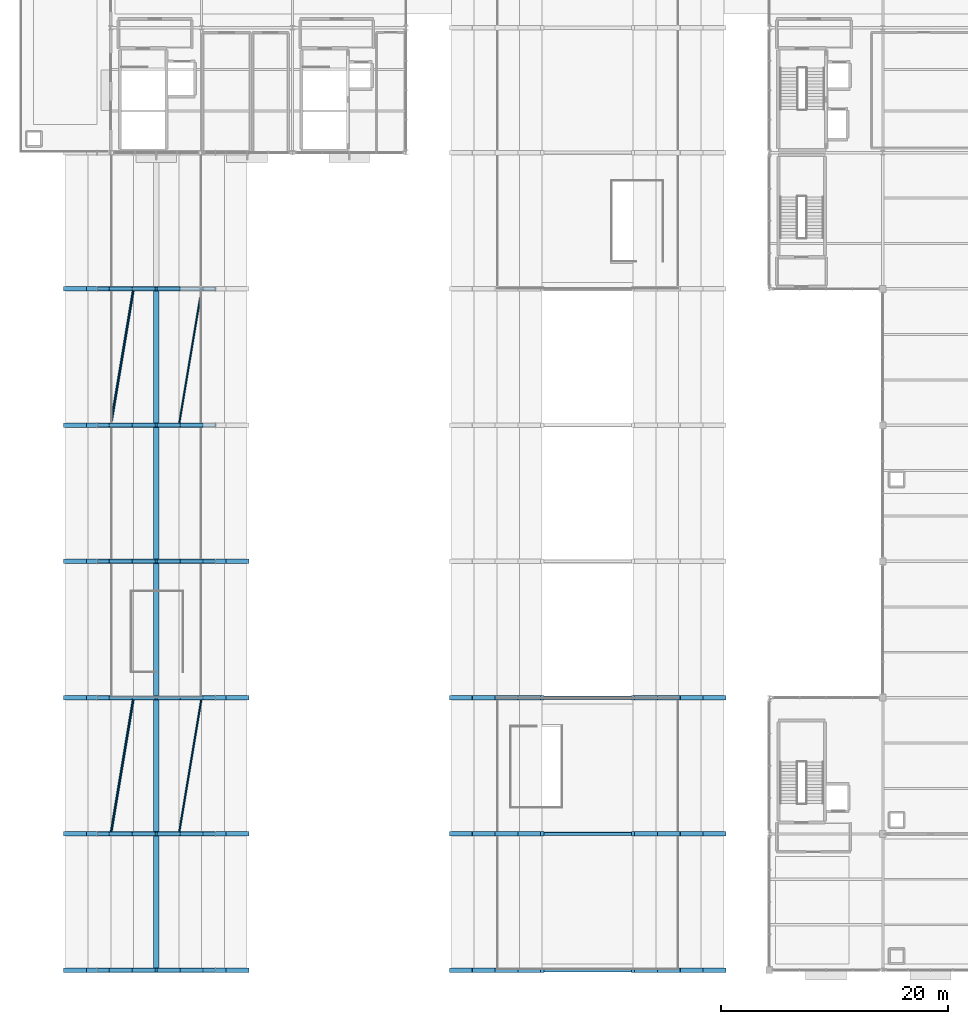
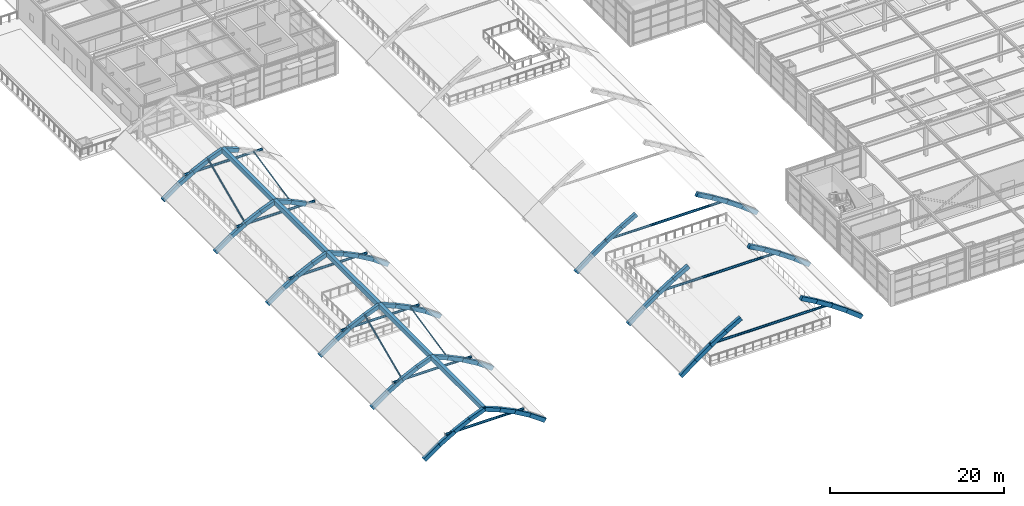
# One storey, part 16 of 82: 72 beams, 13 members.
"""IFC4 building model written with IfcOpenShell, lengths in metres."""

from ifc_helpers import new_model, si_unit, direction, frame, origin, origin_2d, place, context, subcontext, project, spatial, rectangle, hollow_circle, extrude, material, material_profile, profile_set, type_object, element, save


model = new_model("IFC4")

# Units and contexts
model_context = context("Model", 3, precision=1e-05, world=origin(), true_north=direction((0.0, 1.0)))
body_context = subcontext(model_context, "Body", "Model", "MODEL_VIEW")
ifc_project = project(units=[si_unit("LENGTHUNIT", "METRE"), si_unit("AREAUNIT", "SQUARE_METRE"), si_unit("VOLUMEUNIT", "CUBIC_METRE"), si_unit("PLANEANGLEUNIT", "RADIAN"), si_unit("MASSUNIT", "GRAM", prefix="KILO")], contexts=[model_context])

# Site, building, storey
site_placement = place(None, origin())
site = spatial("IfcSite", under=ifc_project, at=site_placement, CompositionType="ELEMENT")
building_placement = place(site_placement, origin())
building = spatial("IfcBuilding", under=site, at=building_placement, Name="Sitalva Quay Ferry Terminal", CompositionType="ELEMENT")
storey_placement = place(building_placement, frame((0.0, 0.0, 5.39990234375)))
storey = spatial("IfcBuildingStorey", under=building, at=storey_placement, Name="L02", CompositionType="ELEMENT", Elevation=5.39990234375)

# Beams
ifc_material_1 = material(Name="Concrete C40/50", Category="concrete")
ifc_material_profile_1 = material_profile(ifc_material_1, rectangle(XDim=0.39990234375, YDim=0.550048828125, at=origin_2d()), Name="RC400x550")
ifc_profile_set_1 = profile_set([ifc_material_profile_1], Name="Concrete C40/50")
beam_type_1 = type_object("IfcBeamType", Name="Beam_Arch_RC400x550", PredefinedType="BEAM", material=ifc_profile_set_1)
beam_1_placement = place(storey_placement, frame((46.0, 6.0, -0.172119140625), z_axis=(0.791620661202, 0.0, 0.611012871189), x_axis=(0.0, 1.0, 0.0)))
element("IfcBeam", 1, at=beam_1_placement, inside=storey, type_object=beam_type_1, Name="Vault V1 transverse arch rib 1.3", PredefinedType="BEAM", context=body_context, shape_type="SweptSolid", body=[
    extrude(rectangle(XDim=0.39990234375, YDim=0.550048828125, at=origin_2d()), origin(), (0.0, 0.0, 1.0), 2.5263671875),
])
beam_2_placement = place(storey_placement, frame((48.0, 6.0, 1.378662109375), z_axis=(0.81986146461, 0.0, 0.572561943241), x_axis=(0.0, 1.0, 0.0)))
element("IfcBeam", 2, at=beam_2_placement, inside=storey, type_object=beam_type_1, Name="Vault V1 transverse arch rib 1.4", PredefinedType="BEAM", context=body_context, shape_type="SweptSolid", body=[
    extrude(rectangle(XDim=0.39990234375, YDim=0.550048828125, at=origin_2d()), origin(), (0.0, 0.0, 1.0), 2.439453125),
])
beam_3_placement = place(storey_placement, frame((50.0, 6.0, 2.78125), z_axis=(0.845437399876, 0.0, 0.534074529341), x_axis=(0.0, 1.0, 0.0)))
element("IfcBeam", 3, at=beam_3_placement, inside=storey, type_object=beam_type_1, Name="Vault V1 transverse arch rib 1.5", PredefinedType="BEAM", context=body_context, shape_type="SweptSolid", body=[
    extrude(rectangle(XDim=0.39990234375, YDim=0.550048828125, at=origin_2d()), origin(), (0.0, 0.0, 1.0), 2.36572265625),
])
for number, where, z_axis, x_axis, name in (
    (4, (52.0, 6.0, 4.0498046875), (0.868569189846, 0.0, 0.495567919109), (0.0, 1.0, 0.0), "Vault V1 transverse arch rib 1.6"),
    (5, (62.0, 6.0, 5.19091796875), (0.868569189846, 0.0, -0.495567919109), (0.0, 1.0, 0.0), "Vault V1 transverse arch rib 1.11"),
):
    element("IfcBeam", number, at=place(storey_placement, frame(where, z_axis=z_axis, x_axis=x_axis)), inside=storey, type_object=beam_type_1, Name=name, PredefinedType="BEAM", context=body_context, shape_type="SweptSolid", body=[
        extrude(rectangle(XDim=0.39990234375, YDim=0.550048828125, at=origin_2d()), origin(), (0.0, 0.0, 1.0), 2.302734375),
    ])
beam_4_placement = place(storey_placement, frame((64.0, 6.0, 4.044677734375), z_axis=(0.845437399876, 0.0, -0.534074529341), x_axis=(0.0, 1.0, 0.0)))
element("IfcBeam", 6, at=beam_4_placement, inside=storey, type_object=beam_type_1, Name="Vault V1 transverse arch rib 1.12", PredefinedType="BEAM", context=body_context, shape_type="SweptSolid", body=[
    extrude(rectangle(XDim=0.39990234375, YDim=0.550048828125, at=origin_2d()), origin(), (0.0, 0.0, 1.0), 2.36572265625),
])
beam_5_placement = place(storey_placement, frame((66.0, 6.0, 2.775390625), z_axis=(0.81986146461, 0.0, -0.572561943241), x_axis=(0.0, 1.0, 0.0)))
element("IfcBeam", 7, at=beam_5_placement, inside=storey, type_object=beam_type_1, Name="Vault V1 transverse arch rib 1.13", PredefinedType="BEAM", context=body_context, shape_type="SweptSolid", body=[
    extrude(rectangle(XDim=0.39990234375, YDim=0.550048828125, at=origin_2d()), origin(), (0.0, 0.0, 1.0), 2.439453125),
])
for number, where, z_axis, x_axis, name in (
    (8, (68.0, 6.0, 1.37158203125), (0.791620661202, 0.0, -0.611012871189), (0.0, 1.0, 0.0), "Vault V1 transverse arch rib 1.14"),
    (9, (46.0, 18.0, -0.172119140625), (0.791620661202, 0.0, 0.611012871189), (0.0, 1.0, 0.0), "Vault V1 transverse arch rib 2.3"),
):
    element("IfcBeam", number, at=place(storey_placement, frame(where, z_axis=z_axis, x_axis=x_axis)), inside=storey, type_object=beam_type_1, Name=name, PredefinedType="BEAM", context=body_context, shape_type="SweptSolid", body=[
        extrude(rectangle(XDim=0.39990234375, YDim=0.550048828125, at=origin_2d()), origin(), (0.0, 0.0, 1.0), 2.5263671875),
    ])
beam_6_placement = place(storey_placement, frame((48.0, 18.0, 1.378662109375), z_axis=(0.81986146461, 0.0, 0.572561943241), x_axis=(0.0, 1.0, 0.0)))
element("IfcBeam", 10, at=beam_6_placement, inside=storey, type_object=beam_type_1, Name="Vault V1 transverse arch rib 2.4", PredefinedType="BEAM", context=body_context, shape_type="SweptSolid", body=[
    extrude(rectangle(XDim=0.39990234375, YDim=0.550048828125, at=origin_2d()), origin(), (0.0, 0.0, 1.0), 2.439453125),
])
beam_7_placement = place(storey_placement, frame((50.0, 18.0, 2.78125), z_axis=(0.845437399876, 0.0, 0.534074529341), x_axis=(0.0, 1.0, 0.0)))
element("IfcBeam", 11, at=beam_7_placement, inside=storey, type_object=beam_type_1, Name="Vault V1 transverse arch rib 2.5", PredefinedType="BEAM", context=body_context, shape_type="SweptSolid", body=[
    extrude(rectangle(XDim=0.39990234375, YDim=0.550048828125, at=origin_2d()), origin(), (0.0, 0.0, 1.0), 2.36572265625),
])
for number, where, z_axis, x_axis, name in (
    (12, (52.0, 18.0, 4.0498046875), (0.868569189846, 0.0, 0.495567919109), (0.0, 1.0, 0.0), "Vault V1 transverse arch rib 2.6"),
    (13, (62.0, 18.0, 5.19091796875), (0.868569189846, 0.0, -0.495567919109), (0.0, 1.0, 0.0), "Vault V1 transverse arch rib 2.11"),
):
    element("IfcBeam", number, at=place(storey_placement, frame(where, z_axis=z_axis, x_axis=x_axis)), inside=storey, type_object=beam_type_1, Name=name, PredefinedType="BEAM", context=body_context, shape_type="SweptSolid", body=[
        extrude(rectangle(XDim=0.39990234375, YDim=0.550048828125, at=origin_2d()), origin(), (0.0, 0.0, 1.0), 2.302734375),
    ])
beam_8_placement = place(storey_placement, frame((64.0, 18.0, 4.044677734375), z_axis=(0.845437399876, 0.0, -0.534074529341), x_axis=(0.0, 1.0, 0.0)))
element("IfcBeam", 14, at=beam_8_placement, inside=storey, type_object=beam_type_1, Name="Vault V1 transverse arch rib 2.12", PredefinedType="BEAM", context=body_context, shape_type="SweptSolid", body=[
    extrude(rectangle(XDim=0.39990234375, YDim=0.550048828125, at=origin_2d()), origin(), (0.0, 0.0, 1.0), 2.36572265625),
])
beam_9_placement = place(storey_placement, frame((66.0, 18.0, 2.775390625), z_axis=(0.81986146461, 0.0, -0.572561943241), x_axis=(0.0, 1.0, 0.0)))
element("IfcBeam", 15, at=beam_9_placement, inside=storey, type_object=beam_type_1, Name="Vault V1 transverse arch rib 2.13", PredefinedType="BEAM", context=body_context, shape_type="SweptSolid", body=[
    extrude(rectangle(XDim=0.39990234375, YDim=0.550048828125, at=origin_2d()), origin(), (0.0, 0.0, 1.0), 2.439453125),
])
for number, where, z_axis, x_axis, name in (
    (16, (68.0, 18.0, 1.37158203125), (0.791620661202, 0.0, -0.611012871189), (0.0, 1.0, 0.0), "Vault V1 transverse arch rib 2.14"),
    (17, (46.0, 30.0, -0.172119140625), (0.791620661202, 0.0, 0.611012871189), (0.0, 1.0, 0.0), "Vault V1 transverse arch rib 3.3"),
):
    element("IfcBeam", number, at=place(storey_placement, frame(where, z_axis=z_axis, x_axis=x_axis)), inside=storey, type_object=beam_type_1, Name=name, PredefinedType="BEAM", context=body_context, shape_type="SweptSolid", body=[
        extrude(rectangle(XDim=0.39990234375, YDim=0.550048828125, at=origin_2d()), origin(), (0.0, 0.0, 1.0), 2.5263671875),
    ])
beam_10_placement = place(storey_placement, frame((48.0, 30.0, 1.378662109375), z_axis=(0.81986146461, 0.0, 0.572561943241), x_axis=(0.0, 1.0, 0.0)))
element("IfcBeam", 18, at=beam_10_placement, inside=storey, type_object=beam_type_1, Name="Vault V1 transverse arch rib 3.4", PredefinedType="BEAM", context=body_context, shape_type="SweptSolid", body=[
    extrude(rectangle(XDim=0.39990234375, YDim=0.550048828125, at=origin_2d()), origin(), (0.0, 0.0, 1.0), 2.439453125),
])
beam_11_placement = place(storey_placement, frame((50.0, 30.0, 2.78125), z_axis=(0.845437399876, 0.0, 0.534074529341), x_axis=(0.0, 1.0, 0.0)))
element("IfcBeam", 19, at=beam_11_placement, inside=storey, type_object=beam_type_1, Name="Vault V1 transverse arch rib 3.5", PredefinedType="BEAM", context=body_context, shape_type="SweptSolid", body=[
    extrude(rectangle(XDim=0.39990234375, YDim=0.550048828125, at=origin_2d()), origin(), (0.0, 0.0, 1.0), 2.36572265625),
])
for number, where, z_axis, x_axis, name in (
    (20, (52.0, 30.0, 4.0498046875), (0.868569189846, 0.0, 0.495567919109), (0.0, 1.0, 0.0), "Vault V1 transverse arch rib 3.6"),
    (21, (62.0, 30.0, 5.19091796875), (0.868569189846, 0.0, -0.495567919109), (0.0, 1.0, 0.0), "Vault V1 transverse arch rib 3.11"),
):
    element("IfcBeam", number, at=place(storey_placement, frame(where, z_axis=z_axis, x_axis=x_axis)), inside=storey, type_object=beam_type_1, Name=name, PredefinedType="BEAM", context=body_context, shape_type="SweptSolid", body=[
        extrude(rectangle(XDim=0.39990234375, YDim=0.550048828125, at=origin_2d()), origin(), (0.0, 0.0, 1.0), 2.302734375),
    ])
beam_12_placement = place(storey_placement, frame((64.0, 30.0, 4.044677734375), z_axis=(0.845437399876, 0.0, -0.534074529341), x_axis=(0.0, 1.0, 0.0)))
element("IfcBeam", 22, at=beam_12_placement, inside=storey, type_object=beam_type_1, Name="Vault V1 transverse arch rib 3.12", PredefinedType="BEAM", context=body_context, shape_type="SweptSolid", body=[
    extrude(rectangle(XDim=0.39990234375, YDim=0.550048828125, at=origin_2d()), origin(), (0.0, 0.0, 1.0), 2.36572265625),
])
beam_13_placement = place(storey_placement, frame((66.0, 30.0, 2.775390625), z_axis=(0.81986146461, 0.0, -0.572561943241), x_axis=(0.0, 1.0, 0.0)))
element("IfcBeam", 23, at=beam_13_placement, inside=storey, type_object=beam_type_1, Name="Vault V1 transverse arch rib 3.13", PredefinedType="BEAM", context=body_context, shape_type="SweptSolid", body=[
    extrude(rectangle(XDim=0.39990234375, YDim=0.550048828125, at=origin_2d()), origin(), (0.0, 0.0, 1.0), 2.439453125),
])
beam_14_placement = place(storey_placement, frame((68.0, 30.0, 1.37158203125), z_axis=(0.791620661202, 0.0, -0.611012871189), x_axis=(0.0, 1.0, 0.0)))
element("IfcBeam", 24, at=beam_14_placement, inside=storey, type_object=beam_type_1, Name="Vault V1 transverse arch rib 3.14", PredefinedType="BEAM", context=body_context, shape_type="SweptSolid", body=[
    extrude(rectangle(XDim=0.39990234375, YDim=0.550048828125, at=origin_2d()), origin(), (0.0, 0.0, 1.0), 2.5263671875),
])
beam_15_placement = place(storey_placement, frame((12.0, 6.0, 0.007080078125), z_axis=(0.816948516584, 0.0, 0.57671060442), x_axis=(0.0, 1.0, 0.0)))
element("IfcBeam", 25, at=beam_15_placement, inside=storey, type_object=beam_type_1, Name="Vault V2 transverse arch rib 1.3", PredefinedType="BEAM", context=body_context, shape_type="SweptSolid", body=[
    extrude(rectangle(XDim=0.39990234375, YDim=0.550048828125, at=origin_2d()), origin(), (0.0, 0.0, 1.0), 2.4482421875),
])
beam_16_placement = place(storey_placement, frame((14.0, 6.0, 1.429443359375), z_axis=(0.863029032245, 0.0, 0.505154322463), x_axis=(0.0, 1.0, 0.0)))
element("IfcBeam", 26, at=beam_16_placement, inside=storey, type_object=beam_type_1, Name="Vault V2 transverse arch rib 1.4", PredefinedType="BEAM", context=body_context, shape_type="SweptSolid", body=[
    extrude(rectangle(XDim=0.39990234375, YDim=0.550048828125, at=origin_2d()), origin(), (0.0, 0.0, 1.0), 2.3173828125),
])
beam_17_placement = place(storey_placement, frame((16.0, 6.0, 2.60791015625), z_axis=(0.901057393418, 0.0, 0.433699865997), x_axis=(0.0, 1.0, 0.0)))
element("IfcBeam", 27, at=beam_17_placement, inside=storey, type_object=beam_type_1, Name="Vault V2 transverse arch rib 1.5", PredefinedType="BEAM", context=body_context, shape_type="SweptSolid", body=[
    extrude(rectangle(XDim=0.39990234375, YDim=0.550048828125, at=origin_2d()), origin(), (0.0, 0.0, 1.0), 2.2197265625),
])
for number, where, z_axis, x_axis, name in (
    (28, (18.0, 6.0, 3.576416015625), (0.932111398116, 0.0, 0.362171701685), (0.0, 1.0, 0.0), "Vault V2 transverse arch rib 1.6"),
    (29, (20.0, 6.0, 4.353515625), (0.932111398116, 0.0, -0.362171701685), (0.0, 1.0, 0.0), "Vault V2 transverse arch rib 1.7"),
):
    element("IfcBeam", number, at=place(storey_placement, frame(where, z_axis=z_axis, x_axis=x_axis)), inside=storey, type_object=beam_type_1, Name=name, PredefinedType="BEAM", context=body_context, shape_type="SweptSolid", body=[
        extrude(rectangle(XDim=0.39990234375, YDim=0.550048828125, at=origin_2d()), origin(), (0.0, 0.0, 1.0), 2.145751953125),
    ])
beam_18_placement = place(storey_placement, frame((22.0, 6.0, 3.570556640625), z_axis=(0.901057393418, 0.0, -0.433699865997), x_axis=(0.0, 1.0, 0.0)))
element("IfcBeam", 30, at=beam_18_placement, inside=storey, type_object=beam_type_1, Name="Vault V2 transverse arch rib 1.8", PredefinedType="BEAM", context=body_context, shape_type="SweptSolid", body=[
    extrude(rectangle(XDim=0.39990234375, YDim=0.550048828125, at=origin_2d()), origin(), (0.0, 0.0, 1.0), 2.2197265625),
])
beam_19_placement = place(storey_placement, frame((24.0, 6.0, 2.60009765625), z_axis=(0.863029032245, 0.0, -0.505154322463), x_axis=(0.0, 1.0, 0.0)))
element("IfcBeam", 31, at=beam_19_placement, inside=storey, type_object=beam_type_1, Name="Vault V2 transverse arch rib 1.9", PredefinedType="BEAM", context=body_context, shape_type="SweptSolid", body=[
    extrude(rectangle(XDim=0.39990234375, YDim=0.550048828125, at=origin_2d()), origin(), (0.0, 0.0, 1.0), 2.3173828125),
])
for number, where, z_axis, x_axis, name in (
    (32, (26.0, 6.0, 1.4189453125), (0.816948516584, 0.0, -0.57671060442), (0.0, 1.0, 0.0), "Vault V2 transverse arch rib 1.10"),
    (33, (12.0, 18.0, 0.007080078125), (0.816948516584, 0.0, 0.57671060442), (0.0, 1.0, 0.0), "Vault V2 transverse arch rib 2.3"),
):
    element("IfcBeam", number, at=place(storey_placement, frame(where, z_axis=z_axis, x_axis=x_axis)), inside=storey, type_object=beam_type_1, Name=name, PredefinedType="BEAM", context=body_context, shape_type="SweptSolid", body=[
        extrude(rectangle(XDim=0.39990234375, YDim=0.550048828125, at=origin_2d()), origin(), (0.0, 0.0, 1.0), 2.4482421875),
    ])
beam_20_placement = place(storey_placement, frame((14.0, 18.0, 1.429443359375), z_axis=(0.863029032245, 0.0, 0.505154322463), x_axis=(0.0, 1.0, 0.0)))
element("IfcBeam", 34, at=beam_20_placement, inside=storey, type_object=beam_type_1, Name="Vault V2 transverse arch rib 2.4", PredefinedType="BEAM", context=body_context, shape_type="SweptSolid", body=[
    extrude(rectangle(XDim=0.39990234375, YDim=0.550048828125, at=origin_2d()), origin(), (0.0, 0.0, 1.0), 2.3173828125),
])
beam_21_placement = place(storey_placement, frame((16.0, 18.0, 2.60791015625), z_axis=(0.901057393418, 0.0, 0.433699865997), x_axis=(0.0, 1.0, 0.0)))
element("IfcBeam", 35, at=beam_21_placement, inside=storey, type_object=beam_type_1, Name="Vault V2 transverse arch rib 2.5", PredefinedType="BEAM", context=body_context, shape_type="SweptSolid", body=[
    extrude(rectangle(XDim=0.39990234375, YDim=0.550048828125, at=origin_2d()), origin(), (0.0, 0.0, 1.0), 2.2197265625),
])
for number, where, z_axis, x_axis, name in (
    (36, (18.0, 18.0, 3.576416015625), (0.932111398116, 0.0, 0.362171701685), (0.0, 1.0, 0.0), "Vault V2 transverse arch rib 2.6"),
    (37, (20.0, 18.0, 4.353515625), (0.932111398116, 0.0, -0.362171701685), (0.0, 1.0, 0.0), "Vault V2 transverse arch rib 2.7"),
):
    element("IfcBeam", number, at=place(storey_placement, frame(where, z_axis=z_axis, x_axis=x_axis)), inside=storey, type_object=beam_type_1, Name=name, PredefinedType="BEAM", context=body_context, shape_type="SweptSolid", body=[
        extrude(rectangle(XDim=0.39990234375, YDim=0.550048828125, at=origin_2d()), origin(), (0.0, 0.0, 1.0), 2.145751953125),
    ])
beam_22_placement = place(storey_placement, frame((22.0, 18.0, 3.570556640625), z_axis=(0.901057393418, 0.0, -0.433699865997), x_axis=(0.0, 1.0, 0.0)))
element("IfcBeam", 38, at=beam_22_placement, inside=storey, type_object=beam_type_1, Name="Vault V2 transverse arch rib 2.8", PredefinedType="BEAM", context=body_context, shape_type="SweptSolid", body=[
    extrude(rectangle(XDim=0.39990234375, YDim=0.550048828125, at=origin_2d()), origin(), (0.0, 0.0, 1.0), 2.2197265625),
])
beam_23_placement = place(storey_placement, frame((24.0, 18.0, 2.60009765625), z_axis=(0.863029032245, 0.0, -0.505154322463), x_axis=(0.0, 1.0, 0.0)))
element("IfcBeam", 39, at=beam_23_placement, inside=storey, type_object=beam_type_1, Name="Vault V2 transverse arch rib 2.9", PredefinedType="BEAM", context=body_context, shape_type="SweptSolid", body=[
    extrude(rectangle(XDim=0.39990234375, YDim=0.550048828125, at=origin_2d()), origin(), (0.0, 0.0, 1.0), 2.3173828125),
])
for number, where, z_axis, x_axis, name in (
    (40, (26.0, 18.0, 1.4189453125), (0.816948516584, 0.0, -0.57671060442), (0.0, 1.0, 0.0), "Vault V2 transverse arch rib 2.10"),
    (41, (12.0, 30.0, 0.007080078125), (0.816948516584, 0.0, 0.57671060442), (0.0, 1.0, 0.0), "Vault V2 transverse arch rib 3.3"),
):
    element("IfcBeam", number, at=place(storey_placement, frame(where, z_axis=z_axis, x_axis=x_axis)), inside=storey, type_object=beam_type_1, Name=name, PredefinedType="BEAM", context=body_context, shape_type="SweptSolid", body=[
        extrude(rectangle(XDim=0.39990234375, YDim=0.550048828125, at=origin_2d()), origin(), (0.0, 0.0, 1.0), 2.4482421875),
    ])
beam_24_placement = place(storey_placement, frame((14.0, 30.0, 1.429443359375), z_axis=(0.863029032245, 0.0, 0.505154322463), x_axis=(0.0, 1.0, 0.0)))
element("IfcBeam", 42, at=beam_24_placement, inside=storey, type_object=beam_type_1, Name="Vault V2 transverse arch rib 3.4", PredefinedType="BEAM", context=body_context, shape_type="SweptSolid", body=[
    extrude(rectangle(XDim=0.39990234375, YDim=0.550048828125, at=origin_2d()), origin(), (0.0, 0.0, 1.0), 2.3173828125),
])
beam_25_placement = place(storey_placement, frame((16.0, 30.0, 2.60791015625), z_axis=(0.901057393418, 0.0, 0.433699865997), x_axis=(0.0, 1.0, 0.0)))
element("IfcBeam", 43, at=beam_25_placement, inside=storey, type_object=beam_type_1, Name="Vault V2 transverse arch rib 3.5", PredefinedType="BEAM", context=body_context, shape_type="SweptSolid", body=[
    extrude(rectangle(XDim=0.39990234375, YDim=0.550048828125, at=origin_2d()), origin(), (0.0, 0.0, 1.0), 2.2197265625),
])
for number, where, z_axis, x_axis, name in (
    (44, (18.0, 30.0, 3.576416015625), (0.932111398116, 0.0, 0.362171701685), (0.0, 1.0, 0.0), "Vault V2 transverse arch rib 3.6"),
    (45, (20.0, 30.0, 4.353515625), (0.932111398116, 0.0, -0.362171701685), (0.0, 1.0, 0.0), "Vault V2 transverse arch rib 3.7"),
):
    element("IfcBeam", number, at=place(storey_placement, frame(where, z_axis=z_axis, x_axis=x_axis)), inside=storey, type_object=beam_type_1, Name=name, PredefinedType="BEAM", context=body_context, shape_type="SweptSolid", body=[
        extrude(rectangle(XDim=0.39990234375, YDim=0.550048828125, at=origin_2d()), origin(), (0.0, 0.0, 1.0), 2.145751953125),
    ])
beam_26_placement = place(storey_placement, frame((22.0, 30.0, 3.570556640625), z_axis=(0.901057393418, 0.0, -0.433699865997), x_axis=(0.0, 1.0, 0.0)))
element("IfcBeam", 46, at=beam_26_placement, inside=storey, type_object=beam_type_1, Name="Vault V2 transverse arch rib 3.8", PredefinedType="BEAM", context=body_context, shape_type="SweptSolid", body=[
    extrude(rectangle(XDim=0.39990234375, YDim=0.550048828125, at=origin_2d()), origin(), (0.0, 0.0, 1.0), 2.2197265625),
])
beam_27_placement = place(storey_placement, frame((24.0, 30.0, 2.60009765625), z_axis=(0.863029032245, 0.0, -0.505154322463), x_axis=(0.0, 1.0, 0.0)))
element("IfcBeam", 47, at=beam_27_placement, inside=storey, type_object=beam_type_1, Name="Vault V2 transverse arch rib 3.9", PredefinedType="BEAM", context=body_context, shape_type="SweptSolid", body=[
    extrude(rectangle(XDim=0.39990234375, YDim=0.550048828125, at=origin_2d()), origin(), (0.0, 0.0, 1.0), 2.3173828125),
])
for number, where, z_axis, x_axis, name in (
    (48, (26.0, 30.0, 1.4189453125), (0.816948516584, 0.0, -0.57671060442), (0.0, 1.0, 0.0), "Vault V2 transverse arch rib 3.10"),
    (49, (12.0, 42.0, 0.007080078125), (0.816948516584, 0.0, 0.57671060442), (0.0, 1.0, 0.0), "Vault V2 transverse arch rib 4.3"),
):
    element("IfcBeam", number, at=place(storey_placement, frame(where, z_axis=z_axis, x_axis=x_axis)), inside=storey, type_object=beam_type_1, Name=name, PredefinedType="BEAM", context=body_context, shape_type="SweptSolid", body=[
        extrude(rectangle(XDim=0.39990234375, YDim=0.550048828125, at=origin_2d()), origin(), (0.0, 0.0, 1.0), 2.4482421875),
    ])
beam_28_placement = place(storey_placement, frame((14.0, 42.0, 1.429443359375), z_axis=(0.863029032245, 0.0, 0.505154322463), x_axis=(0.0, 1.0, 0.0)))
element("IfcBeam", 50, at=beam_28_placement, inside=storey, type_object=beam_type_1, Name="Vault V2 transverse arch rib 4.4", PredefinedType="BEAM", context=body_context, shape_type="SweptSolid", body=[
    extrude(rectangle(XDim=0.39990234375, YDim=0.550048828125, at=origin_2d()), origin(), (0.0, 0.0, 1.0), 2.3173828125),
])
beam_29_placement = place(storey_placement, frame((16.0, 42.0, 2.60791015625), z_axis=(0.901057393418, 0.0, 0.433699865997), x_axis=(0.0, 1.0, 0.0)))
element("IfcBeam", 51, at=beam_29_placement, inside=storey, type_object=beam_type_1, Name="Vault V2 transverse arch rib 4.5", PredefinedType="BEAM", context=body_context, shape_type="SweptSolid", body=[
    extrude(rectangle(XDim=0.39990234375, YDim=0.550048828125, at=origin_2d()), origin(), (0.0, 0.0, 1.0), 2.2197265625),
])
for number, where, z_axis, x_axis, name in (
    (52, (18.0, 42.0, 3.576416015625), (0.932111398116, 0.0, 0.362171701685), (0.0, 1.0, 0.0), "Vault V2 transverse arch rib 4.6"),
    (53, (20.0, 42.0, 4.353515625), (0.932111398116, 0.0, -0.362171701685), (0.0, 1.0, 0.0), "Vault V2 transverse arch rib 4.7"),
):
    element("IfcBeam", number, at=place(storey_placement, frame(where, z_axis=z_axis, x_axis=x_axis)), inside=storey, type_object=beam_type_1, Name=name, PredefinedType="BEAM", context=body_context, shape_type="SweptSolid", body=[
        extrude(rectangle(XDim=0.39990234375, YDim=0.550048828125, at=origin_2d()), origin(), (0.0, 0.0, 1.0), 2.145751953125),
    ])
beam_30_placement = place(storey_placement, frame((22.0, 42.0, 3.570556640625), z_axis=(0.901057393418, 0.0, -0.433699865997), x_axis=(0.0, 1.0, 0.0)))
element("IfcBeam", 54, at=beam_30_placement, inside=storey, type_object=beam_type_1, Name="Vault V2 transverse arch rib 4.8", PredefinedType="BEAM", context=body_context, shape_type="SweptSolid", body=[
    extrude(rectangle(XDim=0.39990234375, YDim=0.550048828125, at=origin_2d()), origin(), (0.0, 0.0, 1.0), 2.2197265625),
])
beam_31_placement = place(storey_placement, frame((24.0, 42.0, 2.60009765625), z_axis=(0.863029032245, 0.0, -0.505154322463), x_axis=(0.0, 1.0, 0.0)))
element("IfcBeam", 55, at=beam_31_placement, inside=storey, type_object=beam_type_1, Name="Vault V2 transverse arch rib 4.9", PredefinedType="BEAM", context=body_context, shape_type="SweptSolid", body=[
    extrude(rectangle(XDim=0.39990234375, YDim=0.550048828125, at=origin_2d()), origin(), (0.0, 0.0, 1.0), 2.3173828125),
])
for number, where, z_axis, x_axis, name in (
    (56, (26.0, 42.0, 1.4189453125), (0.816948516584, 0.0, -0.57671060442), (0.0, 1.0, 0.0), "Vault V2 transverse arch rib 4.10"),
    (57, (12.0, 54.0, 0.007080078125), (0.816948516584, 0.0, 0.57671060442), (0.0, 1.0, 0.0), "Vault V2 transverse arch rib 5.3"),
):
    element("IfcBeam", number, at=place(storey_placement, frame(where, z_axis=z_axis, x_axis=x_axis)), inside=storey, type_object=beam_type_1, Name=name, PredefinedType="BEAM", context=body_context, shape_type="SweptSolid", body=[
        extrude(rectangle(XDim=0.39990234375, YDim=0.550048828125, at=origin_2d()), origin(), (0.0, 0.0, 1.0), 2.4482421875),
    ])
beam_32_placement = place(storey_placement, frame((14.0, 54.0, 1.429443359375), z_axis=(0.863029032245, 0.0, 0.505154322463), x_axis=(0.0, 1.0, 0.0)))
element("IfcBeam", 58, at=beam_32_placement, inside=storey, type_object=beam_type_1, Name="Vault V2 transverse arch rib 5.4", PredefinedType="BEAM", context=body_context, shape_type="SweptSolid", body=[
    extrude(rectangle(XDim=0.39990234375, YDim=0.550048828125, at=origin_2d()), origin(), (0.0, 0.0, 1.0), 2.3173828125),
])
beam_33_placement = place(storey_placement, frame((16.0, 54.0, 2.60791015625), z_axis=(0.901057393418, 0.0, 0.433699865997), x_axis=(0.0, 1.0, 0.0)))
element("IfcBeam", 59, at=beam_33_placement, inside=storey, type_object=beam_type_1, Name="Vault V2 transverse arch rib 5.5", PredefinedType="BEAM", context=body_context, shape_type="SweptSolid", body=[
    extrude(rectangle(XDim=0.39990234375, YDim=0.550048828125, at=origin_2d()), origin(), (0.0, 0.0, 1.0), 2.2197265625),
])
for number, where, z_axis, x_axis, name in (
    (60, (18.0, 54.0, 3.576416015625), (0.932111398116, 0.0, 0.362171701685), (0.0, 1.0, 0.0), "Vault V2 transverse arch rib 5.6"),
    (61, (20.0, 54.0, 4.353515625), (0.932111398116, 0.0, -0.362171701685), (0.0, 1.0, 0.0), "Vault V2 transverse arch rib 5.7"),
):
    element("IfcBeam", number, at=place(storey_placement, frame(where, z_axis=z_axis, x_axis=x_axis)), inside=storey, type_object=beam_type_1, Name=name, PredefinedType="BEAM", context=body_context, shape_type="SweptSolid", body=[
        extrude(rectangle(XDim=0.39990234375, YDim=0.550048828125, at=origin_2d()), origin(), (0.0, 0.0, 1.0), 2.145751953125),
    ])
beam_34_placement = place(storey_placement, frame((22.0, 54.0, 3.570556640625), z_axis=(0.901057393418, 0.0, -0.433699865997), x_axis=(0.0, 1.0, 0.0)))
element("IfcBeam", 62, at=beam_34_placement, inside=storey, type_object=beam_type_1, Name="Vault V2 transverse arch rib 5.8", PredefinedType="BEAM", context=body_context, shape_type="SweptSolid", body=[
    extrude(rectangle(XDim=0.39990234375, YDim=0.550048828125, at=origin_2d()), origin(), (0.0, 0.0, 1.0), 2.2197265625),
])
beam_35_placement = place(storey_placement, frame((12.0, 66.0, 0.007080078125), z_axis=(0.816948516584, 0.0, 0.57671060442), x_axis=(0.0, 1.0, 0.0)))
element("IfcBeam", 63, at=beam_35_placement, inside=storey, type_object=beam_type_1, Name="Vault V2 transverse arch rib 6.3", PredefinedType="BEAM", context=body_context, shape_type="SweptSolid", body=[
    extrude(rectangle(XDim=0.39990234375, YDim=0.550048828125, at=origin_2d()), origin(), (0.0, 0.0, 1.0), 2.4482421875),
])
beam_36_placement = place(storey_placement, frame((14.0, 66.0, 1.429443359375), z_axis=(0.863029032245, 0.0, 0.505154322463), x_axis=(0.0, 1.0, 0.0)))
element("IfcBeam", 64, at=beam_36_placement, inside=storey, type_object=beam_type_1, Name="Vault V2 transverse arch rib 6.4", PredefinedType="BEAM", context=body_context, shape_type="SweptSolid", body=[
    extrude(rectangle(XDim=0.39990234375, YDim=0.550048828125, at=origin_2d()), origin(), (0.0, 0.0, 1.0), 2.3173828125),
])
beam_37_placement = place(storey_placement, frame((16.0, 66.0, 2.60791015625), z_axis=(0.901057393418, 0.0, 0.433699865997), x_axis=(0.0, 1.0, 0.0)))
element("IfcBeam", 65, at=beam_37_placement, inside=storey, type_object=beam_type_1, Name="Vault V2 transverse arch rib 6.5", PredefinedType="BEAM", context=body_context, shape_type="SweptSolid", body=[
    extrude(rectangle(XDim=0.39990234375, YDim=0.550048828125, at=origin_2d()), origin(), (0.0, 0.0, 1.0), 2.2197265625),
])
for number, where, z_axis, x_axis, name in (
    (66, (18.0, 66.0, 3.576416015625), (0.932111398116, 0.0, 0.362171701685), (0.0, 1.0, 0.0), "Vault V2 transverse arch rib 6.6"),
    (67, (20.0, 66.0, 4.353515625), (0.932111398116, 0.0, -0.362171701685), (0.0, 1.0, 0.0), "Vault V2 transverse arch rib 6.7"),
):
    element("IfcBeam", number, at=place(storey_placement, frame(where, z_axis=z_axis, x_axis=x_axis)), inside=storey, type_object=beam_type_1, Name=name, PredefinedType="BEAM", context=body_context, shape_type="SweptSolid", body=[
        extrude(rectangle(XDim=0.39990234375, YDim=0.550048828125, at=origin_2d()), origin(), (0.0, 0.0, 1.0), 2.145751953125),
    ])
ifc_material_2 = material(Name="Concrete C40/50", Category="concrete")
ifc_material_profile_2 = material_profile(ifc_material_2, rectangle(XDim=0.449951171875, YDim=0.64990234375, at=origin_2d()), Name="RC450x650")
ifc_profile_set_2 = profile_set([ifc_material_profile_2], Name="Concrete C40/50")
beam_type_2 = type_object("IfcBeamType", Name="Beam_Ridge_RC450x650", PredefinedType="BEAM", material=ifc_profile_set_2)
for number, where, z_axis, x_axis, name in (
    (68, (20.0, 6.0, 4.315185546875), (0.0, 1.0, 0.0), (-1.0, 0.0, 0.0), "Vault V2 pointed ridge beam bay 1"),
    (69, (20.0, 18.0, 4.315185546875), (0.0, 1.0, 0.0), (-1.0, 0.0, 0.0), "Vault V2 pointed ridge beam bay 2"),
    (70, (20.0, 30.0, 4.315185546875), (0.0, 1.0, 0.0), (-1.0, 0.0, 0.0), "Vault V2 pointed ridge beam bay 3"),
    (71, (20.0, 42.0, 4.315185546875), (0.0, 1.0, 0.0), (-1.0, 0.0, 0.0), "Vault V2 pointed ridge beam bay 4"),
    (72, (20.0, 54.0, 4.315185546875), (0.0, 1.0, 0.0), (-1.0, 0.0, 0.0), "Vault V2 pointed ridge beam bay 5"),
):
    element("IfcBeam", number, at=place(storey_placement, frame(where, z_axis=z_axis, x_axis=x_axis)), inside=storey, type_object=beam_type_2, Name=name, PredefinedType="BEAM", context=body_context, shape_type="SweptSolid", body=[
        extrude(rectangle(XDim=0.449951171875, YDim=0.64990234375, at=origin_2d()), origin(), (0.0, 0.0, 1.0), 12.0),
    ])

# Members
ifc_material_3 = material(Name="Structural Steel S355JR", Category="steel")
ifc_material_profile_3 = material_profile(ifc_material_3, hollow_circle(Radius=0.084228515625, WallThickness=0.008056640625, at=origin_2d()), Name="CHS168x8")
ifc_profile_set_3 = profile_set([ifc_material_profile_3], Name="Structural Steel S355JR")
member_type_1 = type_object("IfcMemberType", Name="Brace_CHS168x8", PredefinedType="BRACE", material=ifc_profile_set_3)
for number, where, z_axis, x_axis, name in (
    (73, (22.0, 18.0, 3.673095703125), (0.163886707255, 0.983320243528, -0.078882481287), (-0.986393923832, 0.164398987305, 0.0), "Vault V2 shell wind brace B2.7"),
    (74, (22.0, 54.0, 3.673095703125), (0.163886707255, 0.983320243528, -0.078882481287), (-0.986393923832, 0.164398987305, 0.0), "Vault V2 shell wind brace B5.7"),
):
    element("IfcMember", number, at=place(storey_placement, frame(where, z_axis=z_axis, x_axis=x_axis)), inside=storey, type_object=member_type_1, Name=name, PredefinedType="BRACE", context=body_context, shape_type="SweptSolid", body=[
        extrude(hollow_circle(Radius=0.084228515625, WallThickness=0.008056640625, at=origin_2d()), origin(), (0.0, 0.0, 1.0), 12.20361328125),
    ])
ifc_material_4 = material(Name="Structural Steel S355JR", Category="steel")
ifc_material_profile_4 = material_profile(ifc_material_4, hollow_circle(Radius=0.109619140625, WallThickness=0.010009765625, at=origin_2d()), Name="CHS219x10")
ifc_profile_set_4 = profile_set([ifc_material_profile_4], Name="Structural Steel S355JR")
member_type_2 = type_object("IfcMemberType", Name="Brace_CHS219x10", PredefinedType="BRACE", material=ifc_profile_set_4)
for number, where, z_axis, x_axis, name in (
    (75, (16.0, 18.0, 2.71044921875), (0.163886707255, 0.983320243528, 0.078882481287), (-0.986393923832, 0.164398987305, 0.0), "Vault V2 shell wind brace B2.4"),
    (76, (16.0, 54.0, 2.71044921875), (0.163886707255, 0.983320243528, 0.078882481287), (-0.986393923832, 0.164398987305, 0.0), "Vault V2 shell wind brace B5.4"),
):
    element("IfcMember", number, at=place(storey_placement, frame(where, z_axis=z_axis, x_axis=x_axis)), inside=storey, type_object=member_type_2, Name=name, PredefinedType="BRACE", context=body_context, shape_type="SweptSolid", body=[
        extrude(hollow_circle(Radius=0.109619140625, WallThickness=0.010009765625, at=origin_2d()), origin(), (0.0, 0.0, 1.0), 12.20361328125),
    ])
ifc_material_5 = material(Name="Structural Steel S355JR", Category="steel")
ifc_material_profile_5 = material_profile(ifc_material_5, hollow_circle(Radius=0.161865234375, WallThickness=0.012451171875, at=origin_2d()), Name="CHS324x12.5")
ifc_profile_set_5 = profile_set([ifc_material_profile_5], Name="Structural Steel S355JR")
member_type_3 = type_object("IfcMemberType", Name="Strut_CHS324x12", PredefinedType="STRUT", material=ifc_profile_set_5)
for number, where, z_axis, x_axis, name in (
    (77, (49.800048828125, 6.0, 2.9501953125), (1.0, 0.0, 0.0), (0.0, 1.0, 0.0), "Vault V1 elevated arch collar tie 1"),
    (78, (49.800048828125, 18.0, 2.9501953125), (1.0, 0.0, 0.0), (0.0, 1.0, 0.0), "Vault V1 elevated arch collar tie 2"),
    (79, (49.800048828125, 30.0, 2.9501953125), (1.0, 0.0, 0.0), (0.0, 1.0, 0.0), "Vault V1 elevated arch collar tie 3"),
):
    element("IfcMember", number, at=place(storey_placement, frame(where, z_axis=z_axis, x_axis=x_axis)), inside=storey, type_object=member_type_3, Name=name, PredefinedType="STRUT", context=body_context, shape_type="SweptSolid", body=[
        extrude(hollow_circle(Radius=0.161865234375, WallThickness=0.012451171875, at=origin_2d()), origin(), (0.0, 0.0, 1.0), 16.39990234375),
    ])
for number, where, z_axis, x_axis, name in (
    (80, (14.800048828125, 6.0, 2.550048828125), (1.0, 0.0, 0.0), (0.0, 1.0, 0.0), "Vault V2 elevated arch collar tie 1"),
    (81, (14.800048828125, 18.0, 2.550048828125), (1.0, 0.0, 0.0), (0.0, 1.0, 0.0), "Vault V2 elevated arch collar tie 2"),
    (82, (14.800048828125, 30.0, 2.550048828125), (1.0, 0.0, 0.0), (0.0, 1.0, 0.0), "Vault V2 elevated arch collar tie 3"),
    (83, (14.800048828125, 42.0, 2.550048828125), (1.0, 0.0, 0.0), (0.0, 1.0, 0.0), "Vault V2 elevated arch collar tie 4"),
    (84, (14.800048828125, 54.0, 2.550048828125), (1.0, 0.0, 0.0), (0.0, 1.0, 0.0), "Vault V2 elevated arch collar tie 5"),
    (85, (14.800048828125, 66.0, 2.550048828125), (1.0, 0.0, 0.0), (0.0, 1.0, 0.0), "Vault V2 elevated arch collar tie 6"),
):
    element("IfcMember", number, at=place(storey_placement, frame(where, z_axis=z_axis, x_axis=x_axis)), inside=storey, type_object=member_type_3, Name=name, PredefinedType="STRUT", context=body_context, shape_type="SweptSolid", body=[
        extrude(hollow_circle(Radius=0.161865234375, WallThickness=0.012451171875, at=origin_2d()), origin(), (0.0, 0.0, 1.0), 10.39990234375),
    ])

save(model, "model.ifc")
